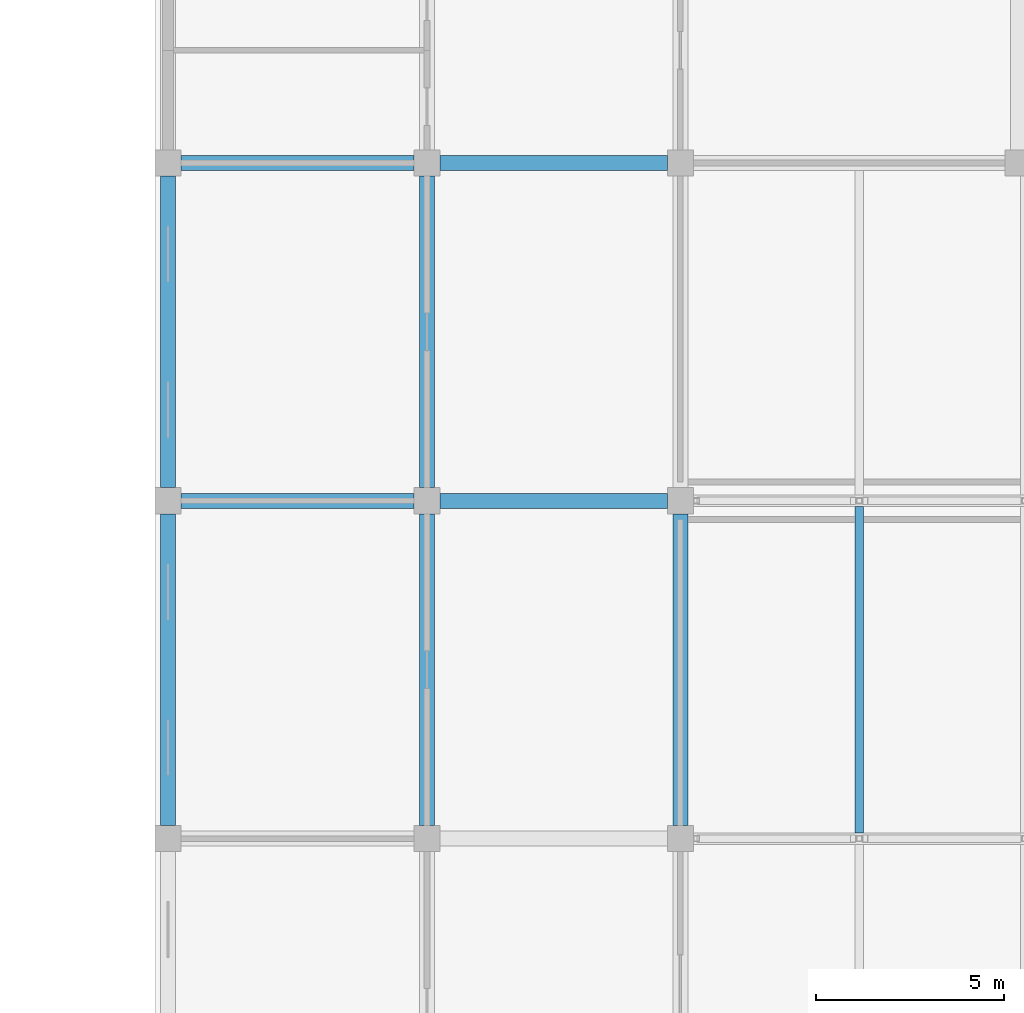
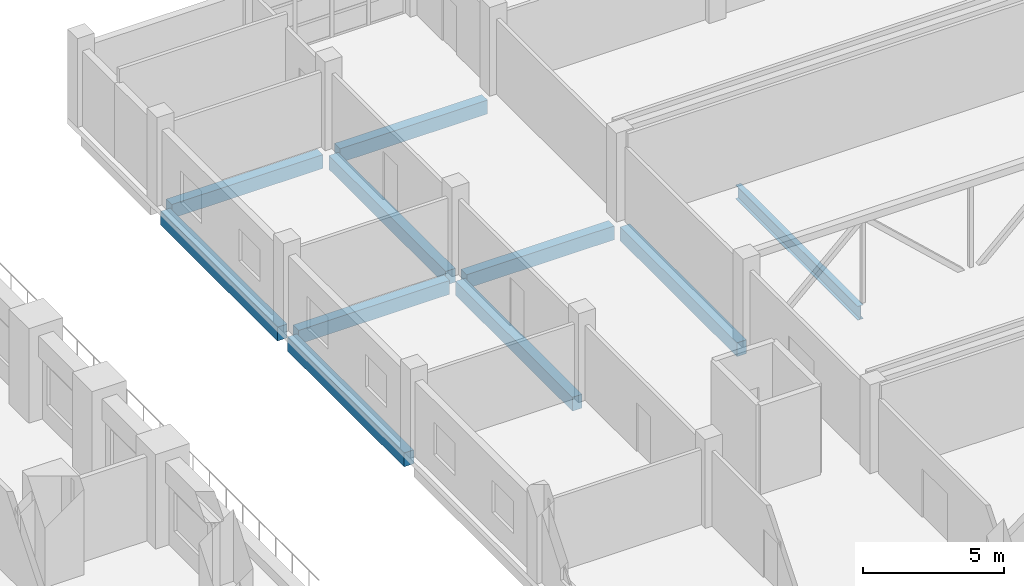
# One storey, part 13 of 42: 10 beams.
"""IFC4 building model written with IfcOpenShell, lengths in metres."""

from ifc_helpers import new_model, si_unit, direction, frame, origin, origin_2d, place, context, subcontext, project, spatial, rectangle, i_section, extrude, material, material_profile, profile_set, type_object, element, save


model = new_model("IFC4")

# Units and contexts
model_context = context("Model", 3, precision=1e-05, world=origin(), true_north=direction((0.0, 1.0)))
body_context = subcontext(model_context, "Body", "Model", "MODEL_VIEW")
ifc_project = project(units=[si_unit("LENGTHUNIT", "METRE"), si_unit("AREAUNIT", "SQUARE_METRE"), si_unit("VOLUMEUNIT", "CUBIC_METRE"), si_unit("PLANEANGLEUNIT", "RADIAN"), si_unit("MASSUNIT", "GRAM", prefix="KILO")], contexts=[model_context])

# Site, building, storey
site_placement = place(None, origin())
site = spatial("IfcSite", under=ifc_project, at=site_placement, CompositionType="ELEMENT")
building_placement = place(site_placement, origin())
building = spatial("IfcBuilding", under=site, at=building_placement, Name="Corbel Stack Research Tower", CompositionType="ELEMENT")
storey_placement = place(building_placement, frame((0.0, 0.0, 11.300048828125)))
storey = spatial("IfcBuildingStorey", under=building, at=storey_placement, Name="L02", CompositionType="ELEMENT", Elevation=11.300048828125)

# Beams
ifc_material_1 = material(Name="Concrete C40/50", Category="concrete")
ifc_material_profile_1 = material_profile(ifc_material_1, rectangle(XDim=0.39990234375, YDim=0.60009765625, at=origin_2d()), Name="RC 400 x 600")
ifc_profile_set_1 = profile_set([ifc_material_profile_1], Name="Concrete C40/50")
beam_type_1 = type_object("IfcBeamType", Name="HB1 RC beam 400 x 600", PredefinedType="BEAM", material=ifc_profile_set_1)
beam_1_placement = place(storey_placement, frame((37.300048828125, 0.35009765625, -0.550048828125), z_axis=(0.0, 1.0, 0.0), x_axis=(-1.0, 0.0, 0.0)))
element("IfcBeam", 1, at=beam_1_placement, inside=storey, type_object=beam_type_1, Name="Floor beam L02 H1HD-H1HE", PredefinedType="BEAM", context=body_context, shape_type="SweptSolid", body=[
    extrude(rectangle(XDim=0.39990234375, YDim=0.60009765625, at=origin_2d()), origin(), (0.0, 0.0, 1.0), 8.2998046875),
])
beam_2_placement = place(storey_placement, frame((37.64990234375, 9.0, -0.550048828125), z_axis=(1.0, 0.0, 0.0), x_axis=(0.0, 1.0, 0.0)))
element("IfcBeam", 2, at=beam_2_placement, inside=storey, type_object=beam_type_1, Name="Floor beam L02 H1HE-H2HE", PredefinedType="BEAM", context=body_context, shape_type="SweptSolid", body=[
    extrude(rectangle(XDim=0.39990234375, YDim=0.60009765625, at=origin_2d()), origin(), (0.0, 0.0, 1.0), 6.2001953125),
])
beam_3_placement = place(storey_placement, frame((37.300048828125, 9.35009765625, -0.550048828125), z_axis=(0.0, 1.0, 0.0), x_axis=(-1.0, 0.0, 0.0)))
element("IfcBeam", 3, at=beam_3_placement, inside=storey, type_object=beam_type_1, Name="Floor beam L02 H1HE-H1HF", PredefinedType="BEAM", context=body_context, shape_type="SweptSolid", body=[
    extrude(rectangle(XDim=0.39990234375, YDim=0.60009765625, at=origin_2d()), origin(), (0.0, 0.0, 1.0), 8.2998046875),
])
beam_4_placement = place(storey_placement, frame((37.64990234375, 18.0, -0.550048828125), z_axis=(1.0, 0.0, 0.0), x_axis=(0.0, 1.0, 0.0)))
element("IfcBeam", 4, at=beam_4_placement, inside=storey, type_object=beam_type_1, Name="Floor beam L02 H1HF-H2HF", PredefinedType="BEAM", context=body_context, shape_type="SweptSolid", body=[
    extrude(rectangle(XDim=0.39990234375, YDim=0.60009765625, at=origin_2d()), origin(), (0.0, 0.0, 1.0), 6.2001953125),
])
beam_5_placement = place(storey_placement, frame((44.199951171875, 0.35009765625, -0.550048828125), z_axis=(0.0, 1.0, 0.0), x_axis=(-1.0, 0.0, 0.0)))
element("IfcBeam", 5, at=beam_5_placement, inside=storey, type_object=beam_type_1, Name="Floor beam L02 H2HD-H2HE", PredefinedType="BEAM", context=body_context, shape_type="SweptSolid", body=[
    extrude(rectangle(XDim=0.39990234375, YDim=0.60009765625, at=origin_2d()), origin(), (0.0, 0.0, 1.0), 8.2998046875),
])
beam_6_placement = place(storey_placement, frame((44.550048828125, 9.0, -0.550048828125), z_axis=(1.0, 0.0, 0.0), x_axis=(0.0, 1.0, 0.0)))
element("IfcBeam", 6, at=beam_6_placement, inside=storey, type_object=beam_type_1, Name="Floor beam L02 H2HE-H3HE", PredefinedType="BEAM", context=body_context, shape_type="SweptSolid", body=[
    extrude(rectangle(XDim=0.39990234375, YDim=0.60009765625, at=origin_2d()), origin(), (0.0, 0.0, 1.0), 6.050048828125),
])
beam_7_placement = place(storey_placement, frame((44.199951171875, 9.35009765625, -0.550048828125), z_axis=(0.0, 1.0, 0.0), x_axis=(-1.0, 0.0, 0.0)))
element("IfcBeam", 7, at=beam_7_placement, inside=storey, type_object=beam_type_1, Name="Floor beam L02 H2HE-H2HF", PredefinedType="BEAM", context=body_context, shape_type="SweptSolid", body=[
    extrude(rectangle(XDim=0.39990234375, YDim=0.60009765625, at=origin_2d()), origin(), (0.0, 0.0, 1.0), 8.2998046875),
])
beam_8_placement = place(storey_placement, frame((44.550048828125, 18.0, -0.550048828125), z_axis=(1.0, 0.0, 0.0), x_axis=(0.0, 1.0, 0.0)))
element("IfcBeam", 8, at=beam_8_placement, inside=storey, type_object=beam_type_1, Name="Floor beam L02 H2HF-H3HF", PredefinedType="BEAM", context=body_context, shape_type="SweptSolid", body=[
    extrude(rectangle(XDim=0.39990234375, YDim=0.60009765625, at=origin_2d()), origin(), (0.0, 0.0, 1.0), 6.050048828125),
])
beam_9_placement = place(storey_placement, frame((50.949951171875, 0.35009765625, -0.550048828125), z_axis=(0.0, 1.0, 0.0), x_axis=(-1.0, 0.0, 0.0)))
element("IfcBeam", 9, at=beam_9_placement, inside=storey, type_object=beam_type_1, Name="Floor beam L02 H3HD-H3HE", PredefinedType="BEAM", context=body_context, shape_type="SweptSolid", body=[
    extrude(rectangle(XDim=0.39990234375, YDim=0.60009765625, at=origin_2d()), origin(), (0.0, 0.0, 1.0), 8.2998046875),
])
ifc_material_2 = material(Name="Steel S355", Category="steel")
ifc_material_profile_2 = material_profile(ifc_material_2, i_section(OverallWidth=0.22802734375, OverallDepth=0.60302734375, WebThickness=0.010986328125, FlangeThickness=0.014892578125, at=origin_2d()), Name="W24x68")
ifc_profile_set_2 = profile_set([ifc_material_profile_2], Name="Steel S355")
beam_type_2 = type_object("IfcBeamType", Name="HB2 steel beam W24x68", PredefinedType="BEAM", material=ifc_profile_set_2)
beam_10_placement = place(storey_placement, frame((55.71240234375, 0.152587890625, -0.551513671875), z_axis=(0.0, 1.0, 0.0), x_axis=(-1.0, 0.0, 0.0)))
element("IfcBeam", 10, at=beam_10_placement, inside=storey, type_object=beam_type_2, Name="Steel floor beam L02 bay 3 line 1", PredefinedType="BEAM", context=body_context, shape_type="SweptSolid", body=[
    extrude(i_section(OverallWidth=0.22802734375, OverallDepth=0.60302734375, WebThickness=0.010986328125, FlangeThickness=0.014892578125, at=origin_2d()), origin(), (0.0, 0.0, 1.0), 8.69482421875),
])

save(model, "model.ifc")
